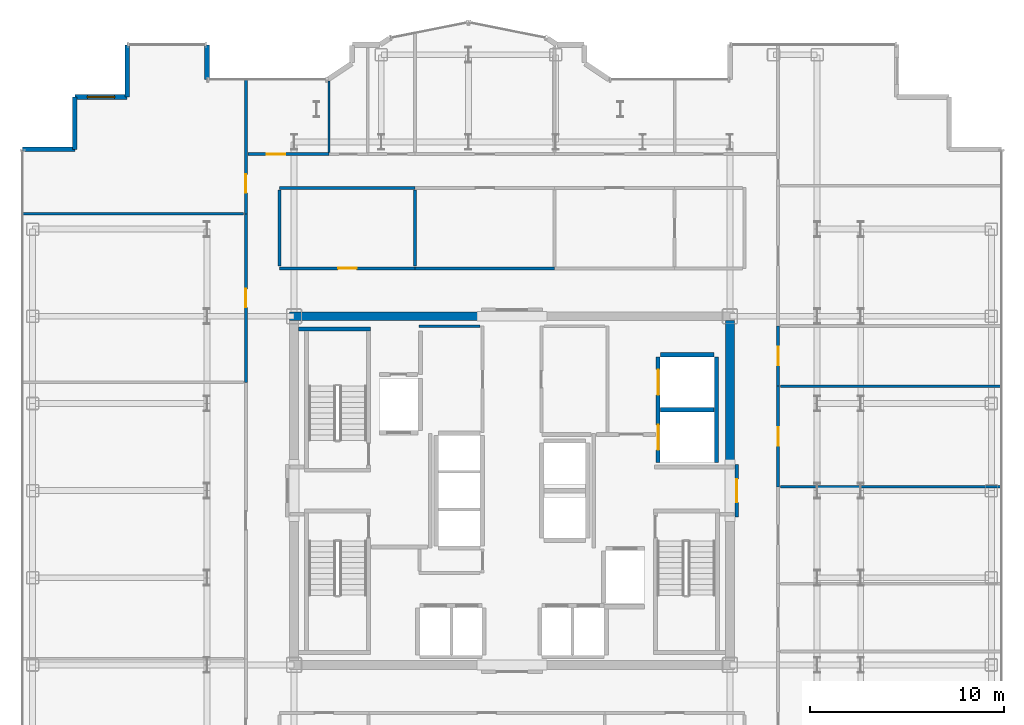
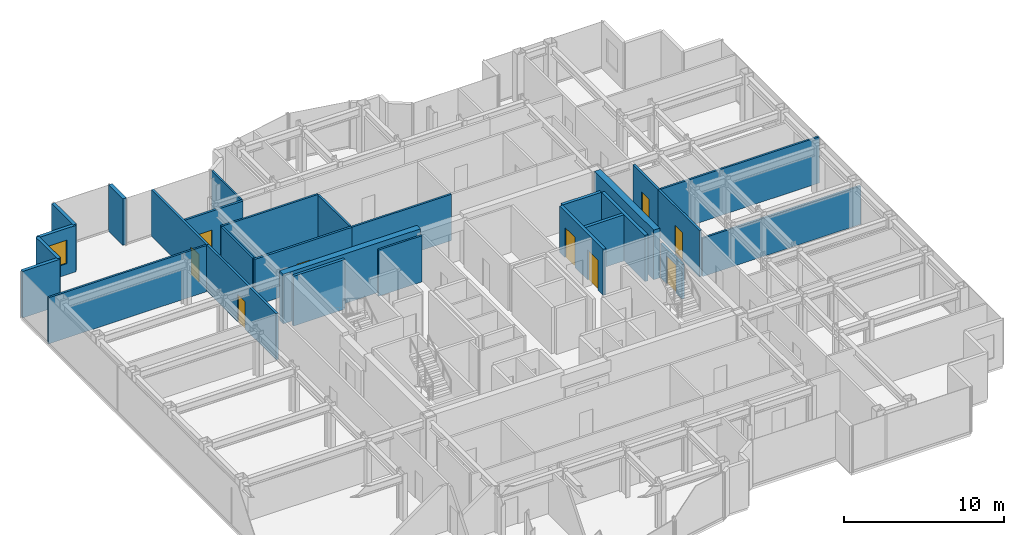
# One storey, part 17 of 20: 28 walls, 9 doors, 1 window, 10 openings.
"""IFC4 building model written with IfcOpenShell, lengths in metres."""

from ifc_helpers import new_model, si_unit, direction, frame, frame_2d, origin, place, context, subcontext, project, spatial, rectangle, extrude, source, transform, mapped, material, layer, layer_set, type_object, element, fill, save


model = new_model("IFC4")

# Units and contexts
model_context = context("Model", 3, precision=1e-05, world=origin(), true_north=direction((0.0, 1.0)))
body_context = subcontext(model_context, "Body", "Model", "MODEL_VIEW")
ifc_project = project(units=[si_unit("LENGTHUNIT", "METRE"), si_unit("AREAUNIT", "SQUARE_METRE"), si_unit("VOLUMEUNIT", "CUBIC_METRE"), si_unit("PLANEANGLEUNIT", "RADIAN"), si_unit("MASSUNIT", "GRAM", prefix="KILO")], contexts=[model_context])

# Site, building, storey
site_placement = place(None, origin())
site = spatial("IfcSite", under=ifc_project, at=site_placement, CompositionType="ELEMENT")
building_placement = place(site_placement, origin())
building = spatial("IfcBuilding", under=site, at=building_placement, Name="Nefas-Gora Pilgrimage Tower", CompositionType="ELEMENT")
storey_placement = place(building_placement, frame((0.0, 0.0, 244.60009765625)))
storey = spatial("IfcBuildingStorey", under=building, at=storey_placement, Name="L61", CompositionType="ELEMENT", Elevation=244.60009765625)

# Walls
ifc_material_1 = material(Name="Concrete C50/60", Category="concrete")
ifc_layer_1 = layer(ifc_material_1, 0.449951171875)
ifc_layer_set_1 = layer_set([ifc_layer_1], Name="Concrete C50/60")
wall_type_1 = type_object("IfcWallType", Name="SW-CORE-450", PredefinedType="SHEAR", material=ifc_layer_set_1)
shared_shape_1 = source(origin(), body_context, "Body", "SweptSolid", [
    extrude(rectangle(XDim=9.925048828125, YDim=0.449951171875, at=frame_2d((4.96240234375, 0.0))), origin(), (0.0, 0.0, 1.0), 3.7998046875),
])
wall_1_placement = place(storey_placement, frame((-11.47509765625, 9.0, 0.0), z_axis=(0.0, 0.0, 1.0), x_axis=(1.0, 0.0, 0.0)))
element("IfcWall", 1, at=wall_1_placement, inside=storey, type_object=wall_type_1, Name="L61 Core Shear Wall N-West", PredefinedType="SHEAR", context=body_context, shape_type="MappedRepresentation", body=[
    mapped(shared_shape_1, transform((0.0, 0.0, 0.0), x_axis=(1.0, 0.0, 0.0), y_axis=(0.0, 1.0, 0.0), z_axis=(0.0, 0.0, 1.0), scale=1.0)),
])
shared_shape_2 = source(origin(), body_context, "Body", "SweptSolid", [
    extrude(rectangle(XDim=7.4248046875, YDim=0.449951171875, at=frame_2d((3.71240234375, 0.0))), origin(), (0.0, 0.0, 1.0), 3.7998046875),
])
wall_2_placement = place(storey_placement, frame((11.25, 1.35009765625, 0.0), z_axis=(0.0, 0.0, 1.0), x_axis=(0.0, 1.0, 0.0)))
element("IfcWall", 2, at=wall_2_placement, inside=storey, type_object=wall_type_1, Name="L61 Core Shear Wall E-North", PredefinedType="SHEAR", context=body_context, shape_type="MappedRepresentation", body=[
    mapped(shared_shape_2, transform((0.0, 0.0, 0.0), x_axis=(1.0, 0.0, 0.0), y_axis=(0.0, 1.0, 0.0), z_axis=(0.0, 0.0, 1.0), scale=1.0)),
])
ifc_material_2 = material(Name="Precast concrete C40/50", Category="concrete")
ifc_layer_2 = layer(ifc_material_2, 0.260009765625)
ifc_layer_set_2 = layer_set([ifc_layer_2], Name="Precast concrete C40/50")
wall_type_2 = type_object("IfcWallType", Name="EW-PORTAL-260", PredefinedType="SOLIDWALL", material=ifc_layer_set_2)
shared_shape_3 = source(origin(), body_context, "Body", "SweptSolid", [
    extrude(rectangle(XDim=1.800048828125, YDim=0.260009765625, at=frame_2d((0.89990234375, 0.0))), origin(), (0.0, 0.0, 1.0), 3.5498046875),
])
wall_3_placement = place(storey_placement, frame((-15.75, 21.219970703125, 0.0), z_axis=(0.0, 0.0, 1.0), x_axis=(0.0, 1.0, 0.0)))
element("IfcWall", 3, at=wall_3_placement, inside=storey, type_object=wall_type_2, Name="L61 Lobe Shoulder Precast Spandrel Pier 19", PredefinedType="SOLIDWALL", context=body_context, shape_type="MappedRepresentation", body=[
    mapped(shared_shape_3, transform((0.0, 0.0, 0.0), x_axis=(1.0, 0.0, 0.0), y_axis=(0.0, 1.0, 0.0), z_axis=(0.0, 0.0, 1.0), scale=1.0)),
])
ifc_material_3 = material(Name="Precast concrete C45/55", Category="concrete")
ifc_layer_3 = layer(ifc_material_3, 0.239990234375)
ifc_layer_set_3 = layer_set([ifc_layer_3], Name="Precast concrete C45/55")
wall_type_3 = type_object("IfcWallType", Name="EW-SERR-240", PredefinedType="SHEAR", material=ifc_layer_set_3)
shared_shape_4 = source(origin(), body_context, "Body", "SweptSolid", [
    extrude(rectangle(XDim=2.699951171875, YDim=0.239990234375, at=frame_2d((1.35009765625, 0.0))), origin(), (0.0, 0.0, 1.0), 3.5498046875),
])
wall_4_placement = place(storey_placement, frame((-19.8701171875, 23.02001953125, 0.0), z_axis=(0.0, 0.0, 1.0), x_axis=(0.0, -1.0, 0.0)))
element("IfcWall", 4, at=wall_4_placement, inside=storey, type_object=wall_type_3, Name="L61 Serrated Corner Shear Pier Wall 20", PredefinedType="SHEAR", context=body_context, shape_type="MappedRepresentation", body=[
    mapped(shared_shape_4, transform((0.0, 0.0, 0.0), x_axis=(1.0, 0.0, 0.0), y_axis=(0.0, 1.0, 0.0), z_axis=(0.0, 0.0, 1.0), scale=1.0)),
])

# Wall, opening, window
wall_5_placement = place(storey_placement, frame((-19.8701171875, 20.320068359375, 0.0), z_axis=(0.0, 0.0, 1.0), x_axis=(-1.0, 0.0, 0.0)))
wall_5 = element("IfcWall", 5, at=wall_5_placement, inside=storey, type_object=wall_type_3, Name="L61 Serrated Corner Shear Pier Wall 21", PredefinedType="SHEAR", context=body_context, shape_type="MappedRepresentation", body=[
    mapped(shared_shape_4, transform((0.0, 0.0, 0.0), x_axis=(1.0, 0.0, 0.0), y_axis=(0.0, 1.0, 0.0), z_axis=(0.0, 0.0, 1.0), scale=1.0)),
])
opening_1_placement = place(wall_5_placement, frame((0.64990234375, 0.0, 0.85009765625)))
opening_1 = element("IfcOpeningElement", 6, at=opening_1_placement, cuts=wall_5, Name="Opening W-V2", PredefinedType="OPENING", context=body_context, shape_type="SweptSolid", body=[
    extrude(rectangle(XDim=1.39990234375, YDim=1.800048828125, at=frame_2d((0.699951171875, 0.89990234375))), frame((0.0, 0.1298828125, 0.0), z_axis=(0.0, -1.0, 0.0), x_axis=(1.0, 0.0, 0.0)), (0.0, 0.0, 1.0), 0.260009765625),
])
ifc_material_4 = material(Name="Dark ceramic-fritted operable aluminium-glass window", Category="aluminium")
window_type = type_object("IfcWindowType", Name="WIN-VENT-1400x1800", PartitioningType="SINGLE_PANEL", PredefinedType="WINDOW", material=ifc_material_4)
shared_shape_5 = source(origin(), body_context, "Body", "SweptSolid", [
    extrude(rectangle(XDim=1.39990234375, YDim=1.800048828125, at=frame_2d((0.699951171875, 0.89990234375))), frame((0.0, 0.030029296875, 0.0), z_axis=(0.0, -1.0, 0.0), x_axis=(1.0, 0.0, 0.0)), (0.0, 0.0, 1.0), 0.06005859375),
])
window_placement = place(opening_1_placement, origin())
window = element("IfcWindow", 7, at=window_placement, inside=storey, type_object=window_type, Name="L61 Operable Parallel-Outswing Window 21", OverallHeight=1.800048828125, OverallWidth=1.39990234375, PartitioningType="SINGLE_PANEL", PredefinedType="WINDOW", context=body_context, shape_type="MappedRepresentation", body=[
    mapped(shared_shape_5, transform((0.0, 0.0, 0.0), x_axis=(1.0, 0.0, 0.0), y_axis=(0.0, 1.0, 0.0), z_axis=(0.0, 0.0, 1.0), scale=1.0)),
])
fill(opening_1, window)

# Walls
for number, where, z_axis, x_axis, name in (
    (8, (-22.570068359375, 20.320068359375, 0.0), (0.0, 0.0, 1.0), (0.0, -1.0, 0.0), "L61 Serrated Corner Shear Pier Wall 22"),
    (9, (-22.570068359375, 17.6201171875, 0.0), (0.0, 0.0, 1.0), (-1.0, 0.0, 0.0), "L61 Serrated Corner Shear Pier Wall 23"),
):
    element("IfcWall", number, at=place(storey_placement, frame(where, z_axis=z_axis, x_axis=x_axis)), inside=storey, type_object=wall_type_3, Name=name, PredefinedType="SHEAR", context=body_context, shape_type="MappedRepresentation", body=[
        mapped(shared_shape_4, transform((0.0, 0.0, 0.0), x_axis=(1.0, 0.0, 0.0), y_axis=(0.0, 1.0, 0.0), z_axis=(0.0, 0.0, 1.0), scale=1.0)),
    ])
ifc_material_5 = material(Name="Concrete C45/55", Category="concrete")
ifc_layer_4 = layer(ifc_material_5, 0.199951171875)
ifc_layer_set_4 = layer_set([ifc_layer_4], Name="Concrete C45/55")
wall_type_4 = type_object("IfcWallType", Name="IW-STAIR-200", PredefinedType="SOLIDWALL", material=ifc_layer_set_4)
shared_shape_6 = source(origin(), body_context, "Body", "SweptSolid", [
    extrude(rectangle(XDim=3.72998046875, YDim=0.199951171875, at=frame_2d((1.864990234375, 0.0))), origin(), (0.0, 0.0, 1.0), 3.7998046875),
])
wall_6_placement = place(storey_placement, frame((-7.300048828125, 8.35009765625, 0.0), z_axis=(0.0, 0.0, 1.0), x_axis=(-1.0, 0.0, 0.0)))
element("IfcWall", 10, at=wall_6_placement, inside=storey, type_object=wall_type_4, Name="L61 Stairwell Shear Wall ST-01-far", PredefinedType="SOLIDWALL", context=body_context, shape_type="MappedRepresentation", body=[
    mapped(shared_shape_6, transform((0.0, 0.0, 0.0), x_axis=(1.0, 0.0, 0.0), y_axis=(0.0, 1.0, 0.0), z_axis=(0.0, 0.0, 1.0), scale=1.0)),
])

# Wall, openings, doors
ifc_material_6 = material(Name="Concrete C40/50", Category="concrete")
ifc_layer_5 = layer(ifc_material_6, 0.219970703125)
ifc_layer_set_5 = layer_set([ifc_layer_5], Name="Concrete C40/50")
wall_type_5 = type_object("IfcWallType", Name="IW-SHAFT-220", PredefinedType="SOLIDWALL", material=ifc_layer_set_5)
shared_shape_7 = source(origin(), body_context, "Body", "SweptSolid", [
    extrude(rectangle(XDim=5.449951171875, YDim=0.219970703125, at=frame_2d((2.72509765625, 0.0))), origin(), (0.0, 0.0, 1.0), 3.534912109375),
])
wall_7_placement = place(storey_placement, frame((7.5400390625, 6.89990234375, 0.0), z_axis=(0.0, 0.0, 1.0), x_axis=(0.0, -1.0, 0.0)))
wall_7 = element("IfcWall", 11, at=wall_7_placement, inside=storey, type_object=wall_type_5, Name="L61 Hoistway Wall SL-01-02-W", PredefinedType="SOLIDWALL", context=body_context, shape_type="MappedRepresentation", body=[
    mapped(shared_shape_7, transform((0.0, 0.0, 0.0), x_axis=(1.0, 0.0, 0.0), y_axis=(0.0, 1.0, 0.0), z_axis=(0.0, 0.0, 1.0), scale=1.0)),
])
opening_2_placement = place(wall_7_placement, frame((3.5, 0.0, 0.0)))
opening_2 = element("IfcOpeningElement", 12, at=opening_2_placement, cuts=wall_7, Name="Opening LD-SV", PredefinedType="OPENING", context=body_context, shape_type="SweptSolid", body=[
    extrude(rectangle(XDim=1.300048828125, YDim=2.300048828125, at=frame_2d((0.64990234375, 1.14990234375))), frame((0.0, 0.119873046875, 0.0), z_axis=(0.0, -1.0, 0.0), x_axis=(1.0, 0.0, 0.0)), (0.0, 0.0, 1.0), 0.239990234375),
])
opening_3_placement = place(wall_7_placement, frame((0.64990234375, 0.0, 0.0)))
opening_3 = element("IfcOpeningElement", 13, at=opening_3_placement, cuts=wall_7, Name="Opening LD-SV", PredefinedType="OPENING", context=body_context, shape_type="SweptSolid", body=[
    extrude(rectangle(XDim=1.300048828125, YDim=2.300048828125, at=frame_2d((0.64990234375, 1.14990234375))), frame((0.0, 0.119873046875, 0.0), z_axis=(0.0, -1.0, 0.0), x_axis=(1.0, 0.0, 0.0)), (0.0, 0.0, 1.0), 0.239990234375),
])
ifc_material_7 = material(Name="Heavy goods sliding lift landing door")
door_type_1 = type_object("IfcDoorType", Name="DR-LIFT-SERV-1300", OperationType="SLIDING_TO_RIGHT", PredefinedType="DOOR", material=ifc_material_7)
shared_shape_8 = source(origin(), body_context, "Body", "SweptSolid", [
    extrude(rectangle(XDim=1.300048828125, YDim=2.300048828125, at=frame_2d((0.64990234375, 1.14990234375))), frame((0.0, 0.02490234375, 0.0), z_axis=(0.0, -1.0, 0.0), x_axis=(1.0, 0.0, 0.0)), (0.0, 0.0, 1.0), 0.050048828125),
])
door_1_placement = place(opening_2_placement, origin())
door_1 = element("IfcDoor", 14, at=door_1_placement, inside=storey, type_object=door_type_1, Name="L61 Sliding Lift Landing Door SL-01", OperationType="SLIDING_TO_RIGHT", OverallHeight=2.300048828125, OverallWidth=1.300048828125, PredefinedType="DOOR", context=body_context, shape_type="MappedRepresentation", body=[
    mapped(shared_shape_8, transform((0.0, 0.0, 0.0), x_axis=(1.0, 0.0, 0.0), y_axis=(0.0, 1.0, 0.0), z_axis=(0.0, 0.0, 1.0), scale=1.0)),
])
fill(opening_2, door_1)
door_2_placement = place(opening_3_placement, origin())
door_2 = element("IfcDoor", 15, at=door_2_placement, inside=storey, type_object=door_type_1, Name="L61 Sliding Lift Landing Door SL-02", OperationType="SLIDING_TO_RIGHT", OverallHeight=2.300048828125, OverallWidth=1.300048828125, PredefinedType="DOOR", context=body_context, shape_type="MappedRepresentation", body=[
    mapped(shared_shape_8, transform((0.0, 0.0, 0.0), x_axis=(1.0, 0.0, 0.0), y_axis=(0.0, 1.0, 0.0), z_axis=(0.0, 0.0, 1.0), scale=1.0)),
])
fill(opening_3, door_2)

# Walls
wall_8_placement = place(storey_placement, frame((10.56005859375, 1.449951171875, 0.0), z_axis=(0.0, 0.0, 1.0), x_axis=(0.0, 1.0, 0.0)))
element("IfcWall", 16, at=wall_8_placement, inside=storey, type_object=wall_type_5, Name="L61 Hoistway Wall SL-01-02-E", PredefinedType="SOLIDWALL", context=body_context, shape_type="MappedRepresentation", body=[
    mapped(shared_shape_7, transform((0.0, 0.0, 0.0), x_axis=(1.0, 0.0, 0.0), y_axis=(0.0, 1.0, 0.0), z_axis=(0.0, 0.0, 1.0), scale=1.0)),
])
shared_shape_9 = source(origin(), body_context, "Body", "SweptSolid", [
    extrude(rectangle(XDim=2.780029296875, YDim=0.219970703125, at=frame_2d((1.39013671875, 0.0))), origin(), (0.0, 0.0, 1.0), 3.534912109375),
])
for number, where, z_axis, x_axis, name in (
    (17, (7.659912109375, 4.175048828125, 0.0), (0.0, 0.0, 1.0), (1.0, 0.0, 0.0), "L61 Hoistway Wall SL-01-02-DIV"),
    (18, (10.43994140625, 7.010009765625, 0.0), (0.0, 0.0, 1.0), (-1.0, 0.0, 0.0), "L61 Hoistway Wall SL-02-N"),
):
    element("IfcWall", number, at=place(storey_placement, frame(where, z_axis=z_axis, x_axis=x_axis)), inside=storey, type_object=wall_type_5, Name=name, PredefinedType="SOLIDWALL", context=body_context, shape_type="MappedRepresentation", body=[
        mapped(shared_shape_9, transform((0.0, 0.0, 0.0), x_axis=(1.0, 0.0, 0.0), y_axis=(0.0, 1.0, 0.0), z_axis=(0.0, 0.0, 1.0), scale=1.0)),
    ])
ifc_material_8 = material(Name="Gypsum twin-stud partition")
ifc_layer_6 = layer(ifc_material_8, 0.139892578125)
ifc_layer_set_6 = layer_set([ifc_layer_6], Name="Gypsum twin-stud partition")
wall_type_6 = type_object("IfcWallType", Name="IW-UNIT-140", PredefinedType="PARTITIONING", material=ifc_layer_set_6)
shared_shape_10 = source(origin(), body_context, "Body", "SweptSolid", [
    extrude(rectangle(XDim=3.150146484375, YDim=0.139892578125, at=frame_2d((1.5751953125, 0.0))), origin(), (0.0, 0.0, 1.0), 3.534912109375),
])
wall_9_placement = place(storey_placement, frame((-4.7900390625, 8.47998046875, 0.0), z_axis=(0.0, 0.0, 1.0), x_axis=(1.0, 0.0, 0.0)))
element("IfcWall", 19, at=wall_9_placement, inside=storey, type_object=wall_type_6, Name="L61 Housekeeping and Linen Store Partition Wall 19", PredefinedType="PARTITIONING", context=body_context, shape_type="MappedRepresentation", body=[
    mapped(shared_shape_10, transform((0.0, 0.0, 0.0), x_axis=(1.0, 0.0, 0.0), y_axis=(0.0, 1.0, 0.0), z_axis=(0.0, 0.0, 1.0), scale=1.0)),
])

# Wall, opening, door
ifc_material_9 = material(Name="Gypsum acoustic stud partition")
ifc_layer_7 = layer(ifc_material_9, 0.159912109375)
ifc_layer_set_7 = layer_set([ifc_layer_7], Name="Gypsum acoustic stud partition")
wall_type_7 = type_object("IfcWallType", Name="IW-CORR-160", PredefinedType="PARTITIONING", material=ifc_layer_set_7)
shared_shape_11 = source(origin(), body_context, "Body", "SweptSolid", [
    extrude(rectangle(XDim=3.10986328125, YDim=0.159912109375, at=frame_2d((1.554931640625, 0.0))), origin(), (0.0, 0.0, 1.0), 3.534912109375),
])
wall_10_placement = place(storey_placement, frame((13.739990234375, 5.39501953125, 0.0), z_axis=(0.0, 0.0, 1.0), x_axis=(0.0, 1.0, 0.0)))
wall_10 = element("IfcWall", 20, at=wall_10_placement, inside=storey, type_object=wall_type_7, Name="L61 Scripture Reading Study Partition Wall 47", PredefinedType="PARTITIONING", context=body_context, shape_type="MappedRepresentation", body=[
    mapped(shared_shape_11, transform((0.0, 0.0, 0.0), x_axis=(1.0, 0.0, 0.0), y_axis=(0.0, 1.0, 0.0), z_axis=(0.0, 0.0, 1.0), scale=1.0)),
])
opening_4_placement = place(wall_10_placement, frame((1.080078125, 0.0, 0.0)))
opening_4 = element("IfcOpeningElement", 21, at=opening_4_placement, cuts=wall_10, Name="Opening ID-GR1", PredefinedType="OPENING", context=body_context, shape_type="SweptSolid", body=[
    extrude(rectangle(XDim=0.949951171875, YDim=2.10009765625, at=frame_2d((0.47509765625, 1.050048828125))), frame((0.0, 0.08984375, 0.0), z_axis=(0.0, -1.0, 0.0), x_axis=(1.0, 0.0, 0.0)), (0.0, 0.0, 1.0), 0.179931640625),
])
ifc_material_10 = material(Name="Solid core oak fire-rated guest entrance door")
door_type_2 = type_object("IfcDoorType", Name="DR-INT-GUEST-950", OperationType="NOTDEFINED", PredefinedType="DOOR", material=ifc_material_10)
shared_shape_12 = source(origin(), body_context, "Body", "SweptSolid", [
    extrude(rectangle(XDim=0.949951171875, YDim=2.10009765625, at=frame_2d((0.47509765625, 1.050048828125))), frame((0.0, 0.02490234375, 0.0), z_axis=(0.0, -1.0, 0.0), x_axis=(1.0, 0.0, 0.0)), (0.0, 0.0, 1.0), 0.050048828125),
])
door_3_placement = place(opening_4_placement, origin())
door_3 = element("IfcDoor", 22, at=door_3_placement, inside=storey, type_object=door_type_2, Name="L61 Scripture Reading Study Door 21", OperationType="SINGLE_SWING_LEFT", OverallHeight=2.10009765625, OverallWidth=0.949951171875, PredefinedType="DOOR", context=body_context, shape_type="MappedRepresentation", body=[
    mapped(shared_shape_12, transform((0.0, 0.0, 0.0), x_axis=(1.0, 0.0, 0.0), y_axis=(0.0, 1.0, 0.0), z_axis=(0.0, 0.0, 1.0), scale=1.0)),
])
fill(opening_4, door_3)

# Walls
ifc_material_11 = material(Name="Moisture-resistant fire-rated gypsum partition")
ifc_layer_8 = layer(ifc_material_11, 0.1201171875)
ifc_layer_set_8 = layer_set([ifc_layer_8], Name="Moisture-resistant fire-rated gypsum partition")
wall_type_8 = type_object("IfcWallType", Name="IW-WET-120", PredefinedType="PLUMBINGWALL", material=ifc_layer_set_8)
shared_shape_13 = source(origin(), body_context, "Body", "SweptSolid", [
    extrude(rectangle(XDim=3.686767578125, YDim=0.1201171875, at=frame_2d((1.84326171875, 0.0))), origin(), (0.0, 0.0, 1.0), 3.534912109375),
])
wall_11_placement = place(storey_placement, frame((-9.449951171875, 17.469970703125, 0.0), z_axis=(0.0, 0.0, 1.0), x_axis=(0.0, 1.0, 0.0)))
element("IfcWall", 23, at=wall_11_placement, inside=storey, type_object=wall_type_8, Name="L61 Accessible Unisex WC Partition Wall 27", PredefinedType="PLUMBINGWALL", context=body_context, shape_type="MappedRepresentation", body=[
    mapped(shared_shape_13, transform((0.0, 0.0, 0.0), x_axis=(1.0, 0.0, 0.0), y_axis=(0.0, 1.0, 0.0), z_axis=(0.0, 0.0, 1.0), scale=1.0)),
])
shared_shape_14 = source(origin(), body_context, "Body", "SweptSolid", [
    extrude(rectangle(XDim=11.429931640625, YDim=0.139892578125, at=frame_2d((5.71484375, 0.0))), origin(), (0.0, 0.0, 1.0), 3.534912109375),
])
for number, where, z_axis, x_axis, name in (
    (24, (-25.2900390625, 14.297607421875, 0.0), (0.0, 0.0, 1.0), (1.0, 0.0, 0.0), "L61 Pilgrim Tea and Beverage Pantry Partition Wall 35"),
    (25, (13.860107421875, 5.39501953125, 0.0), (0.0, 0.0, 1.0), (1.0, 0.0, 0.0), "L61 Pilgrim Contemplative Lounge Partition Wall 46"),
):
    element("IfcWall", number, at=place(storey_placement, frame(where, z_axis=z_axis, x_axis=x_axis)), inside=storey, type_object=wall_type_6, Name=name, PredefinedType="PARTITIONING", context=body_context, shape_type="MappedRepresentation", body=[
        mapped(shared_shape_14, transform((0.0, 0.0, 0.0), x_axis=(1.0, 0.0, 0.0), y_axis=(0.0, 1.0, 0.0), z_axis=(0.0, 0.0, 1.0), scale=1.0)),
    ])

# Wall, opening, door
shared_shape_15 = source(origin(), body_context, "Body", "SweptSolid", [
    extrude(rectangle(XDim=7.014892578125, YDim=0.159912109375, at=frame_2d((3.50732421875, 0.0))), origin(), (0.0, 0.0, 1.0), 3.534912109375),
])
wall_12_placement = place(storey_placement, frame((-12.010009765625, 11.469970703125, 0.0), z_axis=(0.0, 0.0, 1.0), x_axis=(1.0, 0.0, 0.0)))
wall_12 = element("IfcWall", 26, at=wall_12_placement, inside=storey, type_object=wall_type_7, Name="L61 Pilgrim Contemplative Lounge Partition Wall 52", PredefinedType="PARTITIONING", context=body_context, shape_type="MappedRepresentation", body=[
    mapped(shared_shape_15, transform((0.0, 0.0, 0.0), x_axis=(1.0, 0.0, 0.0), y_axis=(0.0, 1.0, 0.0), z_axis=(0.0, 0.0, 1.0), scale=1.0)),
])
opening_5_placement = place(wall_12_placement, frame((3.032470703125, 0.0, 0.0)))
opening_5 = element("IfcOpeningElement", 27, at=opening_5_placement, cuts=wall_12, Name="Opening ID-GR1", PredefinedType="OPENING", context=body_context, shape_type="SweptSolid", body=[
    extrude(rectangle(XDim=0.949951171875, YDim=2.10009765625, at=frame_2d((0.47509765625, 1.050048828125))), frame((0.0, 0.08984375, 0.0), z_axis=(0.0, -1.0, 0.0), x_axis=(1.0, 0.0, 0.0)), (0.0, 0.0, 1.0), 0.179931640625),
])
door_4_placement = place(opening_5_placement, origin())
door_4 = element("IfcDoor", 28, at=door_4_placement, inside=storey, type_object=door_type_2, Name="L61 Pilgrim Contemplative Lounge Door 24", OperationType="SINGLE_SWING_RIGHT", OverallHeight=2.10009765625, OverallWidth=0.949951171875, PredefinedType="DOOR", context=body_context, shape_type="MappedRepresentation", body=[
    mapped(shared_shape_12, transform((0.0, 0.0, 0.0), x_axis=(1.0, 0.0, 0.0), y_axis=(0.0, 1.0, 0.0), z_axis=(0.0, 0.0, 1.0), scale=1.0)),
])
fill(opening_5, door_4)

# Walls
shared_shape_16 = source(origin(), body_context, "Body", "SweptSolid", [
    extrude(rectangle(XDim=7.014892578125, YDim=0.139892578125, at=frame_2d((3.50732421875, 0.0))), origin(), (0.0, 0.0, 1.0), 3.534912109375),
])
wall_13_placement = place(storey_placement, frame((-12.010009765625, 15.6298828125, 0.0), z_axis=(0.0, 0.0, 1.0), x_axis=(1.0, 0.0, 0.0)))
element("IfcWall", 29, at=wall_13_placement, inside=storey, type_object=wall_type_6, Name="L61 Pilgrim Contemplative Lounge Partition Wall 53", PredefinedType="PARTITIONING", context=body_context, shape_type="MappedRepresentation", body=[
    mapped(shared_shape_16, transform((0.0, 0.0, 0.0), x_axis=(1.0, 0.0, 0.0), y_axis=(0.0, 1.0, 0.0), z_axis=(0.0, 0.0, 1.0), scale=1.0)),
])
shared_shape_17 = source(origin(), body_context, "Body", "SweptSolid", [
    extrude(rectangle(XDim=3.929931640625, YDim=0.139892578125, at=frame_2d((1.96484375, 0.0))), origin(), (0.0, 0.0, 1.0), 3.534912109375),
])
for number, where, z_axis, x_axis, name in (
    (30, (-12.0, 11.590087890625, 0.0), (0.0, 0.0, 1.0), (0.0, 1.0, 0.0), "L61 Pilgrim Contemplative Lounge Partition Wall 54"),
    (31, (-5.0048828125, 11.590087890625, 0.0), (0.0, 0.0, 1.0), (0.0, 1.0, 0.0), "L61 Pilgrim Contemplative Lounge Partition Wall 55"),
):
    element("IfcWall", number, at=place(storey_placement, frame(where, z_axis=z_axis, x_axis=x_axis)), inside=storey, type_object=wall_type_6, Name=name, PredefinedType="PARTITIONING", context=body_context, shape_type="MappedRepresentation", body=[
        mapped(shared_shape_17, transform((0.0, 0.0, 0.0), x_axis=(1.0, 0.0, 0.0), y_axis=(0.0, 1.0, 0.0), z_axis=(0.0, 0.0, 1.0), scale=1.0)),
    ])

# Wall, opening, door
shared_shape_18 = source(origin(), body_context, "Body", "SweptSolid", [
    extrude(rectangle(XDim=4.16015625, YDim=0.159912109375, at=frame_2d((2.080078125, 0.0))), origin(), (0.0, 0.0, 1.0), 3.534912109375),
])
wall_14_placement = place(storey_placement, frame((-13.6201171875, 17.3701171875, 0.0), z_axis=(0.0, 0.0, 1.0), x_axis=(1.0, 0.0, 0.0)))
wall_14 = element("IfcWall", 32, at=wall_14_placement, inside=storey, type_object=wall_type_7, Name="L61 Pilgrim Contemplative Lounge Partition Wall 58", PredefinedType="PARTITIONING", context=body_context, shape_type="MappedRepresentation", body=[
    mapped(shared_shape_18, transform((0.0, 0.0, 0.0), x_axis=(1.0, 0.0, 0.0), y_axis=(0.0, 1.0, 0.0), z_axis=(0.0, 0.0, 1.0), scale=1.0)),
])
opening_6_placement = place(wall_14_placement, frame((0.968994140625, 0.0, 0.0)))
opening_6 = element("IfcOpeningElement", 33, at=opening_6_placement, cuts=wall_14, Name="Opening ID-GR1", PredefinedType="OPENING", context=body_context, shape_type="SweptSolid", body=[
    extrude(rectangle(XDim=0.949951171875, YDim=2.10009765625, at=frame_2d((0.47509765625, 1.050048828125))), frame((0.0, 0.08984375, 0.0), z_axis=(0.0, -1.0, 0.0), x_axis=(1.0, 0.0, 0.0)), (0.0, 0.0, 1.0), 0.179931640625),
])
door_5_placement = place(opening_6_placement, origin())
door_5 = element("IfcDoor", 34, at=door_5_placement, inside=storey, type_object=door_type_2, Name="L61 Pilgrim Contemplative Lounge Door 26", OperationType="SINGLE_SWING_RIGHT", OverallHeight=2.10009765625, OverallWidth=0.949951171875, PredefinedType="DOOR", context=body_context, shape_type="MappedRepresentation", body=[
    mapped(shared_shape_12, transform((0.0, 0.0, 0.0), x_axis=(1.0, 0.0, 0.0), y_axis=(0.0, 1.0, 0.0), z_axis=(0.0, 0.0, 1.0), scale=1.0)),
])
fill(opening_6, door_5)

# Wall
shared_shape_19 = source(origin(), body_context, "Body", "SweptSolid", [
    extrude(rectangle(XDim=7.2099609375, YDim=0.139892578125, at=frame_2d((3.60498046875, 0.0))), origin(), (0.0, 0.0, 1.0), 3.534912109375),
])
wall_15_placement = place(storey_placement, frame((-5.0048828125, 11.469970703125, 0.0), z_axis=(0.0, 0.0, 1.0), x_axis=(1.0, 0.0, 0.0)))
element("IfcWall", 35, at=wall_15_placement, inside=storey, type_object=wall_type_6, Name="L61 Pilgrim Contemplative Lounge Partition Wall 62", PredefinedType="PARTITIONING", context=body_context, shape_type="MappedRepresentation", body=[
    mapped(shared_shape_19, transform((0.0, 0.0, 0.0), x_axis=(1.0, 0.0, 0.0), y_axis=(0.0, 1.0, 0.0), z_axis=(0.0, 0.0, 1.0), scale=1.0)),
])

# Wall, opening, door
ifc_material_12 = material(Name="Gypsum fire-rated shaftwall")
ifc_layer_9 = layer(ifc_material_12, 0.199951171875)
ifc_layer_set_9 = layer_set([ifc_layer_9], Name="Gypsum fire-rated shaftwall")
wall_type_9 = type_object("IfcWallType", Name="IW-FFLOB-200", PredefinedType="PARTITIONING", material=ifc_layer_set_9)
shared_shape_20 = source(origin(), body_context, "Body", "SweptSolid", [
    extrude(rectangle(XDim=2.7001953125, YDim=0.199951171875, at=frame_2d((1.35009765625, 0.0))), origin(), (0.0, 0.0, 1.0), 2.625),
])
wall_16_placement = place(storey_placement, frame((11.60009765625, -1.35009765625, 0.0), z_axis=(0.0, 0.0, 1.0), x_axis=(0.0, 1.0, 0.0)))
wall_16 = element("IfcWall", 36, at=wall_16_placement, inside=storey, type_object=wall_type_9, Name="L61 FF Lobby East Portal Wall 9", PredefinedType="PARTITIONING", context=body_context, shape_type="MappedRepresentation", body=[
    mapped(shared_shape_20, transform((0.0, 0.0, 0.0), x_axis=(1.0, 0.0, 0.0), y_axis=(0.0, 1.0, 0.0), z_axis=(0.0, 0.0, 1.0), scale=1.0)),
])
opening_7_placement = place(wall_16_placement, frame((0.75, 0.0, 0.0)))
opening_7 = element("IfcOpeningElement", 37, at=opening_7_placement, cuts=wall_16, Name="Opening ID-FF1", PredefinedType="OPENING", context=body_context, shape_type="SweptSolid", body=[
    extrude(rectangle(XDim=1.199951171875, YDim=2.14990234375, at=frame_2d((0.60009765625, 1.074951171875))), frame((0.0, 0.10986328125, 0.0), z_axis=(0.0, -1.0, 0.0), x_axis=(1.0, 0.0, 0.0)), (0.0, 0.0, 1.0), 0.219970703125),
])
ifc_material_13 = material(Name="Smoke-sealed steel firefighting lobby door", Category="steel")
door_type_3 = type_object("IfcDoorType", Name="DR-INT-FFLOB-1200", OperationType="NOTDEFINED", PredefinedType="DOOR", material=ifc_material_13)
shared_shape_21 = source(origin(), body_context, "Body", "SweptSolid", [
    extrude(rectangle(XDim=1.199951171875, YDim=2.14990234375, at=frame_2d((0.60009765625, 1.074951171875))), frame((0.0, 0.02490234375, 0.0), z_axis=(0.0, -1.0, 0.0), x_axis=(1.0, 0.0, 0.0)), (0.0, 0.0, 1.0), 0.050048828125),
])
door_6_placement = place(opening_7_placement, origin())
door_6 = element("IfcDoor", 38, at=door_6_placement, inside=storey, type_object=door_type_3, Name="L61 FF Lobby East Portal Door 3", OperationType="SINGLE_SWING_LEFT", OverallHeight=2.14990234375, OverallWidth=1.199951171875, PredefinedType="DOOR", context=body_context, shape_type="MappedRepresentation", body=[
    mapped(shared_shape_21, transform((0.0, 0.0, 0.0), x_axis=(1.0, 0.0, 0.0), y_axis=(0.0, 1.0, 0.0), z_axis=(0.0, 0.0, 1.0), scale=1.0)),
])
fill(opening_7, door_6)

# Wall
shared_shape_22 = source(origin(), body_context, "Body", "SweptSolid", [
    extrude(rectangle(XDim=11.429931640625, YDim=0.139892578125, at=frame_2d((5.71484375, 0.0))), origin(), (0.0, 0.0, 1.0), 2.9248046875),
])
wall_17_placement = place(storey_placement, frame((13.860107421875, 0.195068359375, 0.0), z_axis=(0.0, 0.0, 1.0), x_axis=(1.0, 0.0, 0.0)))
element("IfcWall", 39, at=wall_17_placement, inside=storey, type_object=wall_type_6, Name="L61 Pilgrim Fellowship Seminar Room Partition Wall 44", PredefinedType="PARTITIONING", context=body_context, shape_type="MappedRepresentation", body=[
    mapped(shared_shape_22, transform((0.0, 0.0, 0.0), x_axis=(1.0, 0.0, 0.0), y_axis=(0.0, 1.0, 0.0), z_axis=(0.0, 0.0, 1.0), scale=1.0)),
])

# Wall, opening, door
shared_shape_23 = source(origin(), body_context, "Body", "SweptSolid", [
    extrude(rectangle(XDim=6.952392578125, YDim=0.159912109375, at=frame_2d((3.47607421875, 0.0))), origin(), (0.0, 0.0, 1.0), 3.534912109375),
])
wall_18_placement = place(storey_placement, frame((-13.739990234375, 14.28759765625, 0.0), z_axis=(0.0, 0.0, 1.0), x_axis=(0.0, 1.0, 0.0)))
wall_18 = element("IfcWall", 40, at=wall_18_placement, inside=storey, type_object=wall_type_7, Name="L61 Pilgrim Tea and Beverage Pantry Partition Wall 34", PredefinedType="PARTITIONING", context=body_context, shape_type="MappedRepresentation", body=[
    mapped(shared_shape_23, transform((0.0, 0.0, 0.0), x_axis=(1.0, 0.0, 0.0), y_axis=(0.0, 1.0, 0.0), z_axis=(0.0, 0.0, 1.0), scale=1.0)),
])
opening_8_placement = place(wall_18_placement, frame((1.086181640625, 0.0, 0.0)))
opening_8 = element("IfcOpeningElement", 41, at=opening_8_placement, cuts=wall_18, Name="Opening ID-GR1", PredefinedType="OPENING", context=body_context, shape_type="SweptSolid", body=[
    extrude(rectangle(XDim=0.949951171875, YDim=2.10009765625, at=frame_2d((0.47509765625, 1.050048828125))), frame((0.0, 0.08984375, 0.0), z_axis=(0.0, -1.0, 0.0), x_axis=(1.0, 0.0, 0.0)), (0.0, 0.0, 1.0), 0.179931640625),
])
door_7_placement = place(opening_8_placement, origin())
door_7 = element("IfcDoor", 42, at=door_7_placement, inside=storey, type_object=door_type_2, Name="L61 Pilgrim Tea and Beverage Pantry Door 14", OperationType="SINGLE_SWING_RIGHT", OverallHeight=2.10009765625, OverallWidth=0.949951171875, PredefinedType="DOOR", context=body_context, shape_type="MappedRepresentation", body=[
    mapped(shared_shape_12, transform((0.0, 0.0, 0.0), x_axis=(1.0, 0.0, 0.0), y_axis=(0.0, 1.0, 0.0), z_axis=(0.0, 0.0, 1.0), scale=1.0)),
])
fill(opening_8, door_7)

shared_shape_24 = source(origin(), body_context, "Body", "SweptSolid", [
    extrude(rectangle(XDim=8.692626953125, YDim=0.159912109375, at=frame_2d((4.34619140625, 0.0))), origin(), (0.0, 0.0, 1.0), 3.534912109375),
])
wall_19_placement = place(storey_placement, frame((-13.739990234375, 5.594970703125, 0.0), z_axis=(0.0, 0.0, 1.0), x_axis=(0.0, 1.0, 0.0)))
wall_19 = element("IfcWall", 43, at=wall_19_placement, inside=storey, type_object=wall_type_7, Name="L61 Pilgrim Tea and Beverage Pantry Partition Wall 36", PredefinedType="PARTITIONING", context=body_context, shape_type="MappedRepresentation", body=[
    mapped(shared_shape_24, transform((0.0, 0.0, 0.0), x_axis=(1.0, 0.0, 0.0), y_axis=(0.0, 1.0, 0.0), z_axis=(0.0, 0.0, 1.0), scale=1.0)),
])
opening_9_placement = place(wall_19_placement, frame((3.87109375, 0.0, 0.0)))
opening_9 = element("IfcOpeningElement", 44, at=opening_9_placement, cuts=wall_19, Name="Opening ID-GR1", PredefinedType="OPENING", context=body_context, shape_type="SweptSolid", body=[
    extrude(rectangle(XDim=0.949951171875, YDim=2.10009765625, at=frame_2d((0.47509765625, 1.050048828125))), frame((0.0, 0.08984375, 0.0), z_axis=(0.0, -1.0, 0.0), x_axis=(1.0, 0.0, 0.0)), (0.0, 0.0, 1.0), 0.179931640625),
])
door_8_placement = place(opening_9_placement, origin())
door_8 = element("IfcDoor", 45, at=door_8_placement, inside=storey, type_object=door_type_2, Name="L61 Pilgrim Tea and Beverage Pantry Door 15", OperationType="SINGLE_SWING_LEFT", OverallHeight=2.10009765625, OverallWidth=0.949951171875, PredefinedType="DOOR", context=body_context, shape_type="MappedRepresentation", body=[
    mapped(shared_shape_12, transform((0.0, 0.0, 0.0), x_axis=(1.0, 0.0, 0.0), y_axis=(0.0, 1.0, 0.0), z_axis=(0.0, 0.0, 1.0), scale=1.0)),
])
fill(opening_9, door_8)

shared_shape_25 = source(origin(), body_context, "Body", "SweptSolid", [
    extrude(rectangle(XDim=5.2099609375, YDim=0.159912109375, at=frame_2d((2.60498046875, 0.0))), origin(), (0.0, 0.0, 1.0), 3.534912109375),
])
wall_20_placement = place(storey_placement, frame((13.739990234375, 0.195068359375, 0.0), z_axis=(0.0, 0.0, 1.0), x_axis=(0.0, 1.0, 0.0)))
wall_20 = element("IfcWall", 46, at=wall_20_placement, inside=storey, type_object=wall_type_7, Name="L61 Pilgrim Contemplative Lounge Partition Wall 45", PredefinedType="PARTITIONING", context=body_context, shape_type="MappedRepresentation", body=[
    mapped(shared_shape_25, transform((0.0, 0.0, 0.0), x_axis=(1.0, 0.0, 0.0), y_axis=(0.0, 1.0, 0.0), z_axis=(0.0, 0.0, 1.0), scale=1.0)),
])
opening_10_placement = place(wall_20_placement, frame((2.1298828125, 0.0, 0.0)))
opening_10 = element("IfcOpeningElement", 47, at=opening_10_placement, cuts=wall_20, Name="Opening ID-GR1", PredefinedType="OPENING", context=body_context, shape_type="SweptSolid", body=[
    extrude(rectangle(XDim=0.949951171875, YDim=2.10009765625, at=frame_2d((0.47509765625, 1.050048828125))), frame((0.0, 0.08984375, 0.0), z_axis=(0.0, -1.0, 0.0), x_axis=(1.0, 0.0, 0.0)), (0.0, 0.0, 1.0), 0.179931640625),
])
door_9_placement = place(opening_10_placement, origin())
door_9 = element("IfcDoor", 48, at=door_9_placement, inside=storey, type_object=door_type_2, Name="L61 Pilgrim Contemplative Lounge Door 20", OperationType="SINGLE_SWING_RIGHT", OverallHeight=2.10009765625, OverallWidth=0.949951171875, PredefinedType="DOOR", context=body_context, shape_type="MappedRepresentation", body=[
    mapped(shared_shape_12, transform((0.0, 0.0, 0.0), x_axis=(1.0, 0.0, 0.0), y_axis=(0.0, 1.0, 0.0), z_axis=(0.0, 0.0, 1.0), scale=1.0)),
])
fill(opening_10, door_9)

save(model, "model.ifc")
